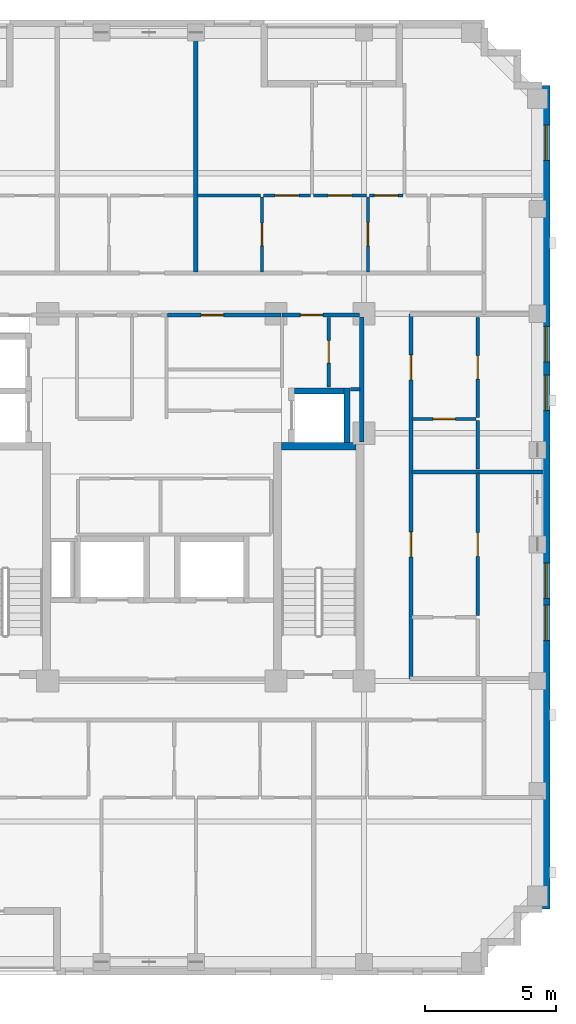
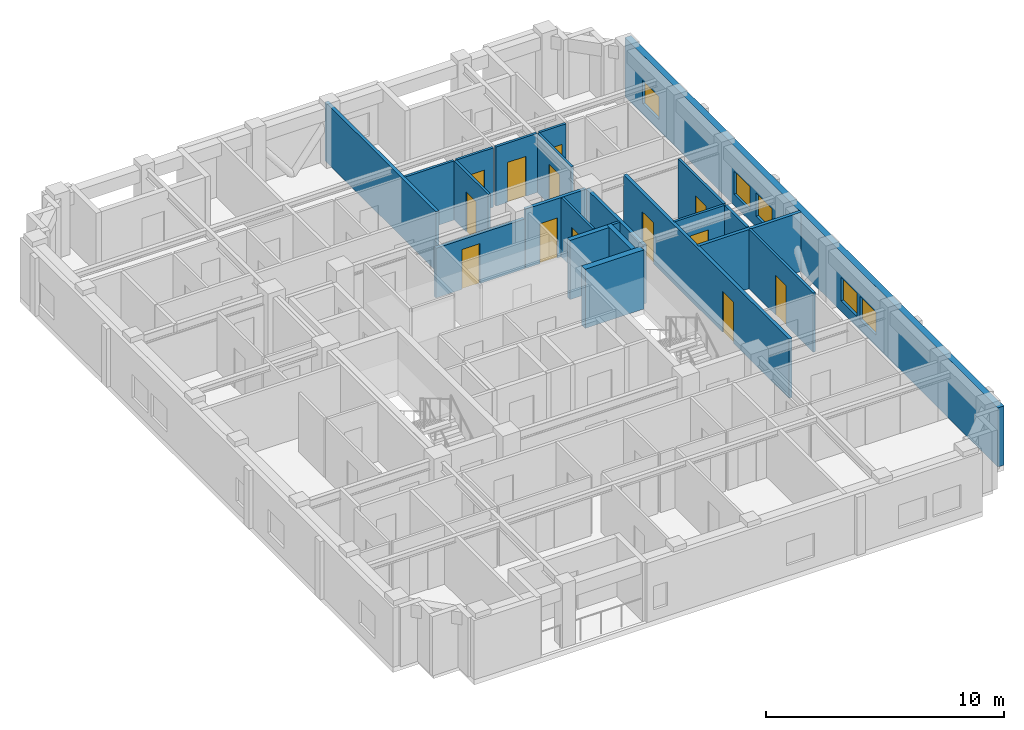
# One storey, part 6 of 11: 22 walls, 13 doors, 5 windows, 18 openings.
"""IFC4 building model written with IfcOpenShell, lengths in metres."""

import ifcopenshell
import ifcopenshell.guid

model = None  # the IFC model being written
_history = None  # IfcOwnerHistory: only IFC2X3 demands one
_inside = {}  # id of a spatial element -> (the spatial element, [elements in it])
_under = {}  # id of a project, library or spatial element -> (it, [spatial elements below it])
_declared = {}  # id of a project -> (the project, [libraries it declares])
_typed = {}  # id of a type object -> (the type object, [elements of that type])
_made_of = {}  # id of a material, layer set ... -> (it, [elements and type objects made of it])


def new_model(schema):
    """Start an empty IFC model of exactly this schema.

    Asked for "IFC4X3", IfcOpenShell would pick the latest addendum, in which some entities
    have other attributes; the version numbers below select the first issue.
    IFC2X3 requires an IfcOwnerHistory on every rooted entity: one is made here for all.
    """
    global model, _history
    if schema == "IFC4X3":
        model = ifcopenshell.file(schema_version=(4, 3, 0, 0))
    else:
        model = ifcopenshell.file(schema=schema)
    _inside.clear()
    _under.clear()
    _declared.clear()
    _typed.clear()
    _made_of.clear()
    _history = None
    if model.schema == "IFC2X3":
        org = make("IfcOrganization", Name="unknown")
        user = make(
            "IfcPersonAndOrganization",
            ThePerson=make("IfcPerson", FamilyName="unknown"),
            TheOrganization=org,
        )
        app = make(
            "IfcApplication",
            ApplicationDeveloper=org,
            Version="unknown",
            ApplicationFullName="unknown",
            ApplicationIdentifier="unknown",
        )
        _history = make(
            "IfcOwnerHistory",
            OwningUser=user,
            OwningApplication=app,
            ChangeAction="ADDED",
            CreationDate=0,
        )
    return model


def make(cls, **values):
    """One entity of the class cls with the attributes given. An attribute that is None is left unset."""
    return model.create_entity(
        cls, **{name: value for name, value in values.items() if value is not None}
    )


def rooted(cls, **values):
    """An entity with a GlobalId (a new one), such as an element, a storey or a relation."""
    return make(cls, GlobalId=ifcopenshell.guid.new(), OwnerHistory=_history, **values)


def si_unit(unit_type, name, prefix=None):
    """IfcSIUnit, for example si_unit("LENGTHUNIT", "METRE", prefix="MILLI")."""
    return make("IfcSIUnit", UnitType=unit_type, Prefix=prefix, Name=name)


def derived_unit(unit_type, elements):
    """IfcDerivedUnit: a product of units, each with its exponent."""
    return make(
        "IfcDerivedUnit",
        Elements=[
            make("IfcDerivedUnitElement", Unit=unit, Exponent=power)
            for unit, power in elements
        ],
        UnitType=unit_type,
    )


def assignment(units):
    """IfcUnitAssignment: the units of a project."""
    return None if units is None else make("IfcUnitAssignment", Units=units)


def point(xyz):
    """IfcCartesianPoint."""
    return None if xyz is None else make("IfcCartesianPoint", Coordinates=xyz)


def direction(xyz):
    """IfcDirection."""
    return None if xyz is None else make("IfcDirection", DirectionRatios=xyz)


def frame(location, z_axis=None, x_axis=None):
    """IfcAxis2Placement3D, a coordinate frame: its origin and axes. An axis left out is left unset."""
    return make(
        "IfcAxis2Placement3D",
        Location=point(location),
        Axis=direction(z_axis),
        RefDirection=direction(x_axis),
    )


def frame_2d(location, x_axis=None):
    """IfcAxis2Placement2D, a coordinate frame in the plane: its origin and x axis."""
    return make(
        "IfcAxis2Placement2D", Location=point(location), RefDirection=direction(x_axis)
    )


def origin():
    """The frame at (0, 0, 0) with its axes left unset."""
    return frame((0.0, 0.0, 0.0))


def place(relative_to, where):
    """IfcLocalPlacement: puts the frame where relative to a parent placement (None: the world)."""
    return make(
        "IfcLocalPlacement", PlacementRelTo=relative_to, RelativePlacement=where
    )


def context(
    kind, dimensions, precision=None, world=None, true_north=None, identifier=None
):
    """IfcGeometricRepresentationContext, for example the 3D "Model" context."""
    return make(
        "IfcGeometricRepresentationContext",
        ContextIdentifier=identifier,
        ContextType=kind,
        CoordinateSpaceDimension=dimensions,
        Precision=precision,
        WorldCoordinateSystem=world,
        TrueNorth=true_north,
    )


def subcontext(parent, identifier, kind, view, scale=None):
    """IfcGeometricRepresentationSubContext, for example "Body" below "Model"."""
    return make(
        "IfcGeometricRepresentationSubContext",
        ContextIdentifier=identifier,
        ContextType=kind,
        ParentContext=parent,
        TargetScale=scale,
        TargetView=view,
    )


def project(units=None, contexts=None):
    """IfcProject with its units and contexts."""
    return rooted(
        "IfcProject",
        Name="project",
        RepresentationContexts=contexts,
        UnitsInContext=assignment(units),
    )


def spatial(cls, under=None, at=None, **own):
    """A site, building, storey or space (cls), placed at a placement, below another one or the project."""
    s = rooted(cls, ObjectPlacement=at, **own)
    if under is not None:
        _under.setdefault(under.id(), (under, []))[1].append(s)
    return s


def profile(cls, at=None, kind="AREA", **sizes):
    """A parametric profile (cls). Its sizes go by their IFC names, for example OverallWidth=200.0."""
    return make(cls, ProfileType=kind, Position=at, **sizes)


def rectangle(**sizes):
    """IfcRectangleProfileDef."""
    return profile("IfcRectangleProfileDef", **sizes)


def extrude(swept, where, along, depth):
    """IfcExtrudedAreaSolid: the profile swept, set in the frame where, extruded along a direction by depth."""
    return make(
        "IfcExtrudedAreaSolid",
        SweptArea=swept,
        Position=where,
        ExtrudedDirection=direction(along),
        Depth=depth,
    )


def shape(context_of_items, identifier, shape_type, items):
    """IfcShapeRepresentation: the items that make up one representation, for example the "Body"."""
    return make(
        "IfcShapeRepresentation",
        ContextOfItems=context_of_items,
        RepresentationIdentifier=identifier,
        RepresentationType=shape_type,
        Items=items,
    )


def material(Name=None, Category=None):
    """IfcMaterial."""
    return make("IfcMaterial", Name=Name, Category=Category)


def layer(
    of_material, thickness, ventilated=None, Name=None, Category=None, Priority=None
):
    """IfcMaterialLayer: one layer of a wall or slab, of a material (None: an air gap)."""
    return make(
        "IfcMaterialLayer",
        Material=of_material,
        LayerThickness=thickness,
        IsVentilated=ventilated,
        Name=Name,
        Category=Category,
        Priority=Priority,
    )


def layer_set(layers, Name=None):
    """IfcMaterialLayerSet."""
    return make("IfcMaterialLayerSet", MaterialLayers=layers, LayerSetName=Name)


def made_of(thing, what):
    """Note that an element or type object is made of a material, layer set ...; save() writes the relation."""
    if what is not None:
        _made_of.setdefault(what.id(), (what, []))[1].append(thing)
    return thing


def type_object(cls, material=None, **own):
    """A type object (cls), such as IfcWallType, which elements share."""
    return made_of(rooted(cls, **own), material)


def element(
    cls,
    number,
    at=None,
    inside=None,
    cuts=None,
    type_object=None,
    material=None,
    context=None,
    identifier="Body",
    shape_type=None,
    held_by="IfcProductDefinitionShape",
    body=None,
    shapes=None,
    **own,
):
    """One element of the class cls, such as IfcWall. Its Tag is "e" and its number.

    at: its placement. inside: the storey or other place that contains it. cuts: it is an
    opening in that element (IfcRelVoidsElement). A single representation is given by context,
    identifier, shape_type and body (its items); several are given by shapes. held_by: the class
    of the entity that holds the representations. save() writes the other relations.
    """
    e = rooted(cls, Tag="e%d" % number, ObjectPlacement=at, **own)
    if body is not None:
        shapes = [shape(context, identifier, shape_type, body)]
    if shapes is not None:
        e.Representation = make(held_by, Representations=shapes)
    if inside is not None:
        _inside.setdefault(inside.id(), (inside, []))[1].append(e)
    if cuts is not None:
        rooted(
            "IfcRelVoidsElement", RelatingBuildingElement=cuts, RelatedOpeningElement=e
        )
    if type_object is not None:
        _typed.setdefault(type_object.id(), (type_object, []))[1].append(e)
    return made_of(e, material)


def fill(opening, filler):
    """IfcRelFillsElement: the door or window that sits in an opening."""
    return rooted(
        "IfcRelFillsElement",
        RelatingOpeningElement=opening,
        RelatedBuildingElement=filler,
    )


def aggregate(whole, parts):
    """IfcRelAggregates: a whole, such as a stair, and the parts it consists of."""
    return rooted("IfcRelAggregates", RelatingObject=whole, RelatedObjects=parts)


def save(model, path):
    """Write the relations noted so far, then the file.

    IfcRelAggregates (storeys below a building ...), IfcRelContainedInSpatialStructure (elements
    in a storey), IfcRelDefinesByType, IfcRelAssociatesMaterial and IfcRelDeclares: one each for
    every whole, place, type object, material and project.
    """
    for whole, parts in _under.values():
        aggregate(whole, parts)
    for where, things in _inside.values():
        rooted(
            "IfcRelContainedInSpatialStructure",
            RelatedElements=things,
            RelatingStructure=where,
        )
    for kind, things in _typed.values():
        rooted("IfcRelDefinesByType", RelatedObjects=things, RelatingType=kind)
    for what, things in _made_of.values():
        rooted("IfcRelAssociatesMaterial", RelatedObjects=things, RelatingMaterial=what)
    for by, libraries in _declared.values():
        rooted("IfcRelDeclares", RelatingContext=by, RelatedDefinitions=libraries)
    model.write(path)


model = new_model("IFC4")

# Units and contexts
model_context = context("Model", 3, precision=1e-05, world=origin(), true_north=direction((0.0, 1.0)))
body_context = subcontext(model_context, "Body", "Model", "MODEL_VIEW")
ifc_project = project(units=[si_unit("LENGTHUNIT", "METRE"), si_unit("AREAUNIT", "SQUARE_METRE"), si_unit("VOLUMEUNIT", "CUBIC_METRE"), si_unit("PLANEANGLEUNIT", "RADIAN"), si_unit("MASSUNIT", "GRAM", prefix="KILO"), derived_unit("THERMALTRANSMITTANCEUNIT", [(si_unit("MASSUNIT", "GRAM", prefix="KILO"), 1), (si_unit("TIMEUNIT", "SECOND"), -3), (si_unit("THERMODYNAMICTEMPERATUREUNIT", "KELVIN"), -1)])], contexts=[model_context])

# Site, building, storey
site_placement = place(None, origin())
site = spatial("IfcSite", under=ifc_project, at=site_placement, CompositionType="ELEMENT")
building_placement = place(site_placement, origin())
building = spatial("IfcBuilding", under=site, at=building_placement, Name="Korrvale Station Residences", CompositionType="ELEMENT")
storey_placement = place(building_placement, frame((0.0, 0.0, 190.89990234375)))
storey = spatial("IfcBuildingStorey", under=building, at=storey_placement, Name="L55", CompositionType="ELEMENT", Elevation=190.89990234375)

# Wall
ifc_material_1 = material(Name="Concrete C50/60", Category="concrete")
ifc_layer_1 = layer(ifc_material_1, 0.300048828125, Name="Concrete C50/60")
ifc_layer_set_1 = layer_set([ifc_layer_1], Name="Concrete C50/60")
wall_type_1 = type_object("IfcWallType", Name="WAL-CORE-300-C50", PredefinedType="SHEAR", material=ifc_layer_set_1)
wall_1_placement = place(storey_placement, frame((30.050048828125, 23.949951171875, 0.0), z_axis=(0.0, 0.0, 1.0), x_axis=(1.0, 0.0, 0.0)))
element("IfcWall", 1, at=wall_1_placement, inside=storey, type_object=wall_type_1, Name="L55 ST-2 Core Shear Wall North", PredefinedType="SHEAR", context=body_context, shape_type="SweptSolid", body=[
    extrude(rectangle(XDim=2.849853515625, YDim=0.300048828125, at=frame_2d((1.4248046875, 0.0))), origin(), (0.0, 0.0, 1.0), 3.0400390625),
])

# Wall, openings, windows
ifc_material_2 = material(Name="Precast concrete C45/55", Category="concrete")
ifc_layer_2 = layer(ifc_material_2, 0.300048828125, Name="Precast concrete C45/55")
ifc_layer_set_2 = layer_set([ifc_layer_2], Name="Precast concrete C45/55")
wall_type_2 = type_object("IfcWallType", Name="WAL-EXT-PC300", PredefinedType="SOLIDWALL", material=ifc_layer_set_2)
wall_2_placement = place(storey_placement, frame((40.14990234375, 37.699951171875, 0.0), z_axis=(0.0, 0.0, 1.0), x_axis=(0.0, -1.0, 0.0)))
wall_2 = element("IfcWall", 2, at=wall_2_placement, inside=storey, type_object=wall_type_2, Name="L55 East Exterior Precast Wall 1", PredefinedType="SOLIDWALL", context=body_context, shape_type="SweptSolid", body=[
    extrude(rectangle(XDim=31.39990234375, YDim=0.300048828125, at=frame_2d((15.699951171875, 0.0))), origin(), (0.0, 0.0, 1.0), 3.0400390625),
])
opening_1_placement = place(wall_2_placement, frame((1.50390625, 0.0, 0.550048828125)))
opening_1 = element("IfcOpeningElement", 3, at=opening_1_placement, cuts=wall_2, Name="Opening W-10", PredefinedType="OPENING", context=body_context, shape_type="SweptSolid", body=[
    extrude(rectangle(XDim=1.35009765625, YDim=1.199951171875, at=frame_2d((0.675048828125, 0.60009765625))), frame((0.0, 0.16015625, 0.0), z_axis=(0.0, -1.0, 0.0), x_axis=(1.0, 0.0, 0.0)), (0.0, 0.0, 1.0), 0.320068359375),
])
opening_2_placement = place(wall_2_placement, frame((18.199951171875, 0.0, 0.550048828125)))
opening_2 = element("IfcOpeningElement", 4, at=opening_2_placement, cuts=wall_2, Name="Opening W-10", PredefinedType="OPENING", context=body_context, shape_type="SweptSolid", body=[
    extrude(rectangle(XDim=1.35009765625, YDim=1.199951171875, at=frame_2d((0.675048828125, 0.60009765625))), frame((0.0, 0.16015625, 0.0), z_axis=(0.0, -1.0, 0.0), x_axis=(1.0, 0.0, 0.0)), (0.0, 0.0, 1.0), 0.320068359375),
])
opening_3_placement = place(wall_2_placement, frame((19.81005859375, 0.0, 0.550048828125)))
opening_3 = element("IfcOpeningElement", 5, at=opening_3_placement, cuts=wall_2, Name="Opening W-10", PredefinedType="OPENING", context=body_context, shape_type="SweptSolid", body=[
    extrude(rectangle(XDim=1.35009765625, YDim=1.199951171875, at=frame_2d((0.675048828125, 0.60009765625))), frame((0.0, 0.16015625, 0.0), z_axis=(0.0, -1.0, 0.0), x_axis=(1.0, 0.0, 0.0)), (0.0, 0.0, 1.0), 0.320068359375),
])
opening_4_placement = place(wall_2_placement, frame((11.04296875, 0.0, 0.550048828125)))
opening_4 = element("IfcOpeningElement", 6, at=opening_4_placement, cuts=wall_2, Name="Opening W-10", PredefinedType="OPENING", context=body_context, shape_type="SweptSolid", body=[
    extrude(rectangle(XDim=1.35009765625, YDim=1.199951171875, at=frame_2d((0.675048828125, 0.60009765625))), frame((0.0, 0.16015625, 0.0), z_axis=(0.0, -1.0, 0.0), x_axis=(1.0, 0.0, 0.0)), (0.0, 0.0, 1.0), 0.320068359375),
])
opening_5_placement = place(wall_2_placement, frame((9.18505859375, 0.0, 0.550048828125)))
opening_5 = element("IfcOpeningElement", 7, at=opening_5_placement, cuts=wall_2, Name="Opening W-10", PredefinedType="OPENING", context=body_context, shape_type="SweptSolid", body=[
    extrude(rectangle(XDim=1.35009765625, YDim=1.199951171875, at=frame_2d((0.675048828125, 0.60009765625))), frame((0.0, 0.16015625, 0.0), z_axis=(0.0, -1.0, 0.0), x_axis=(1.0, 0.0, 0.0)), (0.0, 0.0, 1.0), 0.320068359375),
])
ifc_material_3 = material(Name="Thermally broken aluminium frame with triple low-e glazing", Category="aluminium")
window_type = type_object("IfcWindowType", Name="WIN-W10", PartitioningType="SINGLE_PANEL", PredefinedType="WINDOW", material=ifc_material_3)
window_1_placement = place(opening_1_placement, origin())
window_1 = element("IfcWindow", 8, at=window_1_placement, inside=storey, type_object=window_type, Name="L55 Punched Window 10", OverallHeight=1.199951171875, OverallWidth=1.35009765625, PartitioningType="SINGLE_PANEL", PredefinedType="WINDOW", context=body_context, shape_type="SweptSolid", body=[
    extrude(rectangle(XDim=1.35009765625, YDim=1.199951171875, at=frame_2d((0.675048828125, 0.60009765625))), frame((0.0, 0.030029296875, 0.0), z_axis=(0.0, -1.0, 0.0), x_axis=(1.0, 0.0, 0.0)), (0.0, 0.0, 1.0), 0.06005859375),
])
fill(opening_1, window_1)
window_2_placement = place(opening_2_placement, origin())
window_2 = element("IfcWindow", 9, at=window_2_placement, inside=storey, type_object=window_type, Name="L55 Punched Window 15", OverallHeight=1.199951171875, OverallWidth=1.35009765625, PartitioningType="SINGLE_PANEL", PredefinedType="WINDOW", context=body_context, shape_type="SweptSolid", body=[
    extrude(rectangle(XDim=1.35009765625, YDim=1.199951171875, at=frame_2d((0.675048828125, 0.60009765625))), frame((0.0, 0.030029296875, 0.0), z_axis=(0.0, -1.0, 0.0), x_axis=(1.0, 0.0, 0.0)), (0.0, 0.0, 1.0), 0.06005859375),
])
fill(opening_2, window_2)
window_3_placement = place(opening_3_placement, origin())
window_3 = element("IfcWindow", 10, at=window_3_placement, inside=storey, type_object=window_type, Name="L55 Punched Window 16", OverallHeight=1.199951171875, OverallWidth=1.35009765625, PartitioningType="SINGLE_PANEL", PredefinedType="WINDOW", context=body_context, shape_type="SweptSolid", body=[
    extrude(rectangle(XDim=1.35009765625, YDim=1.199951171875, at=frame_2d((0.675048828125, 0.60009765625))), frame((0.0, 0.030029296875, 0.0), z_axis=(0.0, -1.0, 0.0), x_axis=(1.0, 0.0, 0.0)), (0.0, 0.0, 1.0), 0.06005859375),
])
fill(opening_3, window_3)
window_4_placement = place(opening_4_placement, origin())
window_4 = element("IfcWindow", 11, at=window_4_placement, inside=storey, type_object=window_type, Name="L55 Punched Window 17", OverallHeight=1.199951171875, OverallWidth=1.35009765625, PartitioningType="SINGLE_PANEL", PredefinedType="WINDOW", context=body_context, shape_type="SweptSolid", body=[
    extrude(rectangle(XDim=1.35009765625, YDim=1.199951171875, at=frame_2d((0.675048828125, 0.60009765625))), frame((0.0, 0.030029296875, 0.0), z_axis=(0.0, -1.0, 0.0), x_axis=(1.0, 0.0, 0.0)), (0.0, 0.0, 1.0), 0.06005859375),
])
fill(opening_4, window_4)
window_5_placement = place(opening_5_placement, origin())
window_5 = element("IfcWindow", 12, at=window_5_placement, inside=storey, type_object=window_type, Name="L55 Punched Window 18", OverallHeight=1.199951171875, OverallWidth=1.35009765625, PartitioningType="SINGLE_PANEL", PredefinedType="WINDOW", context=body_context, shape_type="SweptSolid", body=[
    extrude(rectangle(XDim=1.35009765625, YDim=1.199951171875, at=frame_2d((0.675048828125, 0.60009765625))), frame((0.0, 0.030029296875, 0.0), z_axis=(0.0, -1.0, 0.0), x_axis=(1.0, 0.0, 0.0)), (0.0, 0.0, 1.0), 0.06005859375),
])
fill(opening_5, window_5)

# Wall
ifc_material_4 = material(Name="Acoustic steel-stud gypsum board partition", Category="steel")
ifc_layer_3 = layer(ifc_material_4, 0.1201171875, Name="Acoustic steel-stud gypsum board partition")
ifc_layer_set_3 = layer_set([ifc_layer_3], Name="Acoustic steel-stud gypsum board partition")
wall_type_3 = type_object("IfcWallType", Name="WAL-PART-125", PredefinedType="PARTITIONING", material=ifc_layer_set_3)
wall_3_placement = place(storey_placement, frame((32.679931640625, 26.1201171875, 0.0), z_axis=(0.0, 0.0, 1.0), x_axis=(1.0, 0.0, 0.0)))
element("IfcWall", 13, at=wall_3_placement, inside=storey, type_object=wall_type_3, Name="L55 Core Partition CW-CS-S", PredefinedType="PARTITIONING", context=body_context, shape_type="SweptSolid", body=[
    extrude(rectangle(XDim=0.380126953125, YDim=0.1201171875, at=frame_2d((0.18994140625, 0.0))), origin(), (0.0, 0.0, 1.0), 3.0400390625),
])

# Wall, opening, door
wall_4_placement = place(storey_placement, frame((31.860107421875, 26.199951171875, 0.0), z_axis=(0.0, 0.0, 1.0), x_axis=(0.0, 1.0, 0.0)))
wall_4 = element("IfcWall", 14, at=wall_4_placement, inside=storey, type_object=wall_type_3, Name="L55 Core Partition CW-CS-MID", PredefinedType="PARTITIONING", context=body_context, shape_type="SweptSolid", body=[
    extrude(rectangle(XDim=2.66015625, YDim=0.1201171875, at=frame_2d((1.330078125, 0.0))), origin(), (0.0, 0.0, 1.0), 3.0400390625),
])
opening_6_placement = place(wall_4_placement, frame((0.919921875, 0.0, 0.0)))
opening_6 = element("IfcOpeningElement", 15, at=opening_6_placement, cuts=wall_4, Name="Opening DB-860", PredefinedType="OPENING", context=body_context, shape_type="SweptSolid", body=[
    extrude(rectangle(XDim=0.860107421875, YDim=2.050048828125, at=frame_2d((0.43017578125, 1.02490234375))), frame((0.0, 0.070068359375, 0.0), z_axis=(0.0, -1.0, 0.0), x_axis=(1.0, 0.0, 0.0)), (0.0, 0.0, 1.0), 0.14013671875),
])
ifc_material_5 = material(Name="Moisture-resistant solid-core bathroom door", Category="timber")
door_type_1 = type_object("IfcDoorType", Name="DR-BATH-860", OperationType="NOTDEFINED", PredefinedType="DOOR", material=ifc_material_5)
door_1_placement = place(opening_6_placement, origin())
door_1 = element("IfcDoor", 16, at=door_1_placement, inside=storey, type_object=door_type_1, Name="L55 Metering Inner Door", OperationType="SINGLE_SWING_RIGHT", OverallHeight=2.050048828125, OverallWidth=0.860107421875, PredefinedType="DOOR", context=body_context, shape_type="SweptSolid", body=[
    extrude(rectangle(XDim=0.860107421875, YDim=2.050048828125, at=frame_2d((0.43017578125, 1.02490234375))), frame((0.0, 0.02490234375, 0.0), z_axis=(0.0, -1.0, 0.0), x_axis=(1.0, 0.0, 0.0)), (0.0, 0.0, 1.0), 0.050048828125),
])
fill(opening_6, door_1)

wall_5_placement = place(storey_placement, frame((29.31201171875, 30.60009765625, 0.0), z_axis=(0.0, 0.0, 1.0), x_axis=(0.0, 1.0, 0.0)))
wall_5 = element("IfcWall", 17, at=wall_5_placement, inside=storey, type_object=wall_type_3, Name="L55 Suite Partition U06-V01", PredefinedType="PARTITIONING", context=body_context, shape_type="SweptSolid", body=[
    extrude(rectangle(XDim=2.849853515625, YDim=0.1201171875, at=frame_2d((1.4248046875, 0.0))), origin(), (0.0, 0.0, 1.0), 3.0400390625),
])
opening_7_placement = place(wall_5_placement, frame((0.9951171875, 0.0, 0.0)))
opening_7 = element("IfcOpeningElement", 18, at=opening_7_placement, cuts=wall_5, Name="Opening DB-860", PredefinedType="OPENING", context=body_context, shape_type="SweptSolid", body=[
    extrude(rectangle(XDim=0.860107421875, YDim=2.050048828125, at=frame_2d((0.43017578125, 1.02490234375))), frame((0.0, 0.070068359375, 0.0), z_axis=(0.0, -1.0, 0.0), x_axis=(1.0, 0.0, 0.0)), (0.0, 0.0, 1.0), 0.14013671875),
])
door_2_placement = place(opening_7_placement, origin())
door_2 = element("IfcDoor", 19, at=door_2_placement, inside=storey, type_object=door_type_1, Name="L55 Apartment 1BR L55-U06 Bathroom Door", OperationType="SINGLE_SWING_LEFT", OverallHeight=2.050048828125, OverallWidth=0.860107421875, PredefinedType="DOOR", context=body_context, shape_type="SweptSolid", body=[
    extrude(rectangle(XDim=0.860107421875, YDim=2.050048828125, at=frame_2d((0.43017578125, 1.02490234375))), frame((0.0, 0.02490234375, 0.0), z_axis=(0.0, -1.0, 0.0), x_axis=(1.0, 0.0, 0.0)), (0.0, 0.0, 1.0), 0.050048828125),
])
fill(opening_7, door_2)

# Wall
wall_6_placement = place(storey_placement, frame((26.85205078125, 33.510009765625, 0.0), z_axis=(0.0, 0.0, 1.0), x_axis=(1.0, 0.0, 0.0)))
element("IfcWall", 20, at=wall_6_placement, inside=storey, type_object=wall_type_3, Name="L55 Suite Partition U06-H04", PredefinedType="PARTITIONING", context=body_context, shape_type="SweptSolid", body=[
    extrude(rectangle(XDim=2.39990234375, YDim=0.1201171875, at=frame_2d((1.199951171875, 0.0))), origin(), (0.0, 0.0, 1.0), 3.0400390625),
])

# Wall, opening, door
wall_7_placement = place(storey_placement, frame((33.35205078125, 30.60009765625, 0.0), z_axis=(0.0, 0.0, 1.0), x_axis=(0.0, 1.0, 0.0)))
wall_7 = element("IfcWall", 21, at=wall_7_placement, inside=storey, type_object=wall_type_3, Name="L55 Suite Partition U06-V12", PredefinedType="PARTITIONING", context=body_context, shape_type="SweptSolid", body=[
    extrude(rectangle(XDim=2.849853515625, YDim=0.1201171875, at=frame_2d((1.4248046875, 0.0))), origin(), (0.0, 0.0, 1.0), 3.0400390625),
])
opening_8_placement = place(wall_7_placement, frame((0.97509765625, 0.0, 0.0)))
opening_8 = element("IfcOpeningElement", 22, at=opening_8_placement, cuts=wall_7, Name="Opening DI-900", PredefinedType="OPENING", context=body_context, shape_type="SweptSolid", body=[
    extrude(rectangle(XDim=0.89990234375, YDim=2.050048828125, at=frame_2d((0.449951171875, 1.02490234375))), frame((0.0, 0.070068359375, 0.0), z_axis=(0.0, -1.0, 0.0), x_axis=(1.0, 0.0, 0.0)), (0.0, 0.0, 1.0), 0.14013671875),
])
ifc_material_6 = material(Name="Painted solid-core timber interior room door", Category="wood")
door_type_2 = type_object("IfcDoorType", Name="DR-INT-900", OperationType="NOTDEFINED", PredefinedType="DOOR", material=ifc_material_6)
door_3_placement = place(opening_8_placement, origin())
door_3 = element("IfcDoor", 23, at=door_3_placement, inside=storey, type_object=door_type_2, Name="L55 Apartment 1BR L55-U06 Kitchen Door", OperationType="SINGLE_SWING_RIGHT", OverallHeight=2.050048828125, OverallWidth=0.89990234375, PredefinedType="DOOR", context=body_context, shape_type="SweptSolid", body=[
    extrude(rectangle(XDim=0.89990234375, YDim=2.050048828125, at=frame_2d((0.449951171875, 1.02490234375))), frame((0.0, 0.02490234375, 0.0), z_axis=(0.0, -1.0, 0.0), x_axis=(1.0, 0.0, 0.0)), (0.0, 0.0, 1.0), 0.050048828125),
])
fill(opening_8, door_3)

wall_8_placement = place(storey_placement, frame((29.3720703125, 33.510009765625, 0.0), z_axis=(0.0, 0.0, 1.0), x_axis=(1.0, 0.0, 0.0)))
wall_8 = element("IfcWall", 24, at=wall_8_placement, inside=storey, type_object=wall_type_3, Name="L55 Suite Partition U06-H14", PredefinedType="PARTITIONING", context=body_context, shape_type="SweptSolid", body=[
    extrude(rectangle(XDim=1.791015625, YDim=0.1201171875, at=frame_2d((0.8955078125, 0.0))), origin(), (0.0, 0.0, 1.0), 3.0400390625),
])
opening_9_placement = place(wall_8_placement, frame((0.445068359375, 0.0, 0.0)))
opening_9 = element("IfcOpeningElement", 25, at=opening_9_placement, cuts=wall_8, Name="Opening DI-900", PredefinedType="OPENING", context=body_context, shape_type="SweptSolid", body=[
    extrude(rectangle(XDim=0.89990234375, YDim=2.050048828125, at=frame_2d((0.449951171875, 1.02490234375))), frame((0.0, 0.070068359375, 0.0), z_axis=(0.0, -1.0, 0.0), x_axis=(1.0, 0.0, 0.0)), (0.0, 0.0, 1.0), 0.14013671875),
])
door_4_placement = place(opening_9_placement, origin())
door_4 = element("IfcDoor", 26, at=door_4_placement, inside=storey, type_object=door_type_2, Name="L55 Apartment 1BR L55-U06 Kitchen Door", OperationType="SINGLE_SWING_LEFT", OverallHeight=2.050048828125, OverallWidth=0.89990234375, PredefinedType="DOOR", context=body_context, shape_type="SweptSolid", body=[
    extrude(rectangle(XDim=0.89990234375, YDim=2.050048828125, at=frame_2d((0.449951171875, 1.02490234375))), frame((0.0, 0.02490234375, 0.0), z_axis=(0.0, -1.0, 0.0), x_axis=(1.0, 0.0, 0.0)), (0.0, 0.0, 1.0), 0.050048828125),
])
fill(opening_9, door_4)

wall_9_placement = place(storey_placement, frame((31.282958984375, 33.510009765625, 0.0), z_axis=(0.0, 0.0, 1.0), x_axis=(1.0, 0.0, 0.0)))
wall_9 = element("IfcWall", 27, at=wall_9_placement, inside=storey, type_object=wall_type_3, Name="L55 Suite Partition U06-H15", PredefinedType="PARTITIONING", context=body_context, shape_type="SweptSolid", body=[
    extrude(rectangle(XDim=2.009033203125, YDim=0.1201171875, at=frame_2d((1.00439453125, 0.0))), origin(), (0.0, 0.0, 1.0), 3.0400390625),
])
opening_10_placement = place(wall_9_placement, frame((0.553955078125, 0.0, 0.0)))
opening_10 = element("IfcOpeningElement", 28, at=opening_10_placement, cuts=wall_9, Name="Opening DI-900", PredefinedType="OPENING", context=body_context, shape_type="SweptSolid", body=[
    extrude(rectangle(XDim=0.89990234375, YDim=2.050048828125, at=frame_2d((0.449951171875, 1.02490234375))), frame((0.0, 0.070068359375, 0.0), z_axis=(0.0, -1.0, 0.0), x_axis=(1.0, 0.0, 0.0)), (0.0, 0.0, 1.0), 0.14013671875),
])
door_5_placement = place(opening_10_placement, origin())
door_5 = element("IfcDoor", 29, at=door_5_placement, inside=storey, type_object=door_type_2, Name="L55 Apartment 1BR L55-U06 Kitchen Door", OperationType="SINGLE_SWING_RIGHT", OverallHeight=2.050048828125, OverallWidth=0.89990234375, PredefinedType="DOOR", context=body_context, shape_type="SweptSolid", body=[
    extrude(rectangle(XDim=0.89990234375, YDim=2.050048828125, at=frame_2d((0.449951171875, 1.02490234375))), frame((0.0, 0.02490234375, 0.0), z_axis=(0.0, -1.0, 0.0), x_axis=(1.0, 0.0, 0.0)), (0.0, 0.0, 1.0), 0.050048828125),
])
fill(opening_10, door_5)

wall_10_placement = place(storey_placement, frame((33.412109375, 33.510009765625, 0.0), z_axis=(0.0, 0.0, 1.0), x_axis=(1.0, 0.0, 0.0)))
wall_10 = element("IfcWall", 30, at=wall_10_placement, inside=storey, type_object=wall_type_3, Name="L55 Suite Partition U06-H25", PredefinedType="PARTITIONING", context=body_context, shape_type="SweptSolid", body=[
    extrude(rectangle(XDim=1.27783203125, YDim=0.1201171875, at=frame_2d((0.638916015625, 0.0))), origin(), (0.0, 0.0, 1.0), 3.0400390625),
])
opening_11_placement = place(wall_10_placement, frame((0.18896484375, 0.0, 0.0)))
opening_11 = element("IfcOpeningElement", 31, at=opening_11_placement, cuts=wall_10, Name="Opening DI-900", PredefinedType="OPENING", context=body_context, shape_type="SweptSolid", body=[
    extrude(rectangle(XDim=0.89990234375, YDim=2.050048828125, at=frame_2d((0.449951171875, 1.02490234375))), frame((0.0, 0.070068359375, 0.0), z_axis=(0.0, -1.0, 0.0), x_axis=(1.0, 0.0, 0.0)), (0.0, 0.0, 1.0), 0.14013671875),
])
door_6_placement = place(opening_11_placement, origin())
door_6 = element("IfcDoor", 32, at=door_6_placement, inside=storey, type_object=door_type_2, Name="L55 Apartment 1BR L55-U06 Wardrobe Storage Room Door", OperationType="SINGLE_SWING_RIGHT", OverallHeight=2.050048828125, OverallWidth=0.89990234375, PredefinedType="DOOR", context=body_context, shape_type="SweptSolid", body=[
    extrude(rectangle(XDim=0.89990234375, YDim=2.050048828125, at=frame_2d((0.449951171875, 1.02490234375))), frame((0.0, 0.02490234375, 0.0), z_axis=(0.0, -1.0, 0.0), x_axis=(1.0, 0.0, 0.0)), (0.0, 0.0, 1.0), 0.050048828125),
])
fill(opening_11, door_6)

wall_11_placement = place(storey_placement, frame((37.5400390625, 17.489013671875, 0.0), z_axis=(0.0, 0.0, 1.0), x_axis=(0.0, 1.0, 0.0)))
wall_11 = element("IfcWall", 33, at=wall_11_placement, inside=storey, type_object=wall_type_3, Name="L55 Suite Partition U09-V12", PredefinedType="PARTITIONING", context=body_context, shape_type="SweptSolid", body=[
    extrude(rectangle(XDim=5.43310546875, YDim=0.1201171875, at=frame_2d((2.716552734375, 0.0))), origin(), (0.0, 0.0, 1.0), 3.0400390625),
])
opening_12_placement = place(wall_11_placement, frame((2.26611328125, 0.0, 0.0)))
opening_12 = element("IfcOpeningElement", 34, at=opening_12_placement, cuts=wall_11, Name="Opening DI-900", PredefinedType="OPENING", context=body_context, shape_type="SweptSolid", body=[
    extrude(rectangle(XDim=0.89990234375, YDim=2.050048828125, at=frame_2d((0.449951171875, 1.02490234375))), frame((0.0, 0.070068359375, 0.0), z_axis=(0.0, -1.0, 0.0), x_axis=(1.0, 0.0, 0.0)), (0.0, 0.0, 1.0), 0.14013671875),
])
door_7_placement = place(opening_12_placement, origin())
door_7 = element("IfcDoor", 35, at=door_7_placement, inside=storey, type_object=door_type_2, Name="L55 Apartment 1BR L55-U09 Kitchen Door", OperationType="SINGLE_SWING_LEFT", OverallHeight=2.050048828125, OverallWidth=0.89990234375, PredefinedType="DOOR", context=body_context, shape_type="SweptSolid", body=[
    extrude(rectangle(XDim=0.89990234375, YDim=2.050048828125, at=frame_2d((0.449951171875, 1.02490234375))), frame((0.0, 0.02490234375, 0.0), z_axis=(0.0, -1.0, 0.0), x_axis=(1.0, 0.0, 0.0)), (0.0, 0.0, 1.0), 0.050048828125),
])
fill(opening_12, door_7)

wall_12_placement = place(storey_placement, frame((35.030029296875, 24.991943359375, 0.0), z_axis=(0.0, 0.0, 1.0), x_axis=(1.0, 0.0, 0.0)))
wall_12 = element("IfcWall", 36, at=wall_12_placement, inside=storey, type_object=wall_type_3, Name="L55 Suite Partition U10-H01", PredefinedType="PARTITIONING", context=body_context, shape_type="SweptSolid", body=[
    extrude(rectangle(XDim=2.449951171875, YDim=0.1201171875, at=frame_2d((1.22509765625, 0.0))), origin(), (0.0, 0.0, 1.0), 3.0400390625),
])
opening_13_placement = place(wall_12_placement, frame((0.794921875, 0.0, 0.0)))
opening_13 = element("IfcOpeningElement", 37, at=opening_13_placement, cuts=wall_12, Name="Opening DB-860", PredefinedType="OPENING", context=body_context, shape_type="SweptSolid", body=[
    extrude(rectangle(XDim=0.860107421875, YDim=2.050048828125, at=frame_2d((0.43017578125, 1.02490234375))), frame((0.0, 0.070068359375, 0.0), z_axis=(0.0, -1.0, 0.0), x_axis=(1.0, 0.0, 0.0)), (0.0, 0.0, 1.0), 0.14013671875),
])
door_8_placement = place(opening_13_placement, origin())
door_8 = element("IfcDoor", 38, at=door_8_placement, inside=storey, type_object=door_type_1, Name="L55 Apartment 1BR L55-U10 Bathroom Door", OperationType="SINGLE_SWING_RIGHT", OverallHeight=2.050048828125, OverallWidth=0.860107421875, PredefinedType="DOOR", context=body_context, shape_type="SweptSolid", body=[
    extrude(rectangle(XDim=0.860107421875, YDim=2.050048828125, at=frame_2d((0.43017578125, 1.02490234375))), frame((0.0, 0.02490234375, 0.0), z_axis=(0.0, -1.0, 0.0), x_axis=(1.0, 0.0, 0.0)), (0.0, 0.0, 1.0), 0.050048828125),
])
fill(opening_13, door_8)

# Wall
wall_13_placement = place(storey_placement, frame((37.5400390625, 23.08203125, 0.0), z_axis=(0.0, 0.0, 1.0), x_axis=(0.0, 1.0, 0.0)))
element("IfcWall", 39, at=wall_13_placement, inside=storey, type_object=wall_type_3, Name="L55 Suite Partition U10-V02", PredefinedType="PARTITIONING", context=body_context, shape_type="SweptSolid", body=[
    extrude(rectangle(XDim=1.849853515625, YDim=0.1201171875, at=frame_2d((0.9248046875, 0.0))), origin(), (0.0, 0.0, 1.0), 3.0400390625),
])

# Wall, opening, door
wall_14_placement = place(storey_placement, frame((37.5400390625, 25.052001953125, 0.0), z_axis=(0.0, 0.0, 1.0), x_axis=(0.0, 1.0, 0.0)))
wall_14 = element("IfcWall", 40, at=wall_14_placement, inside=storey, type_object=wall_type_3, Name="L55 Suite Partition U10-V12", PredefinedType="PARTITIONING", context=body_context, shape_type="SweptSolid", body=[
    extrude(rectangle(XDim=3.80810546875, YDim=0.1201171875, at=frame_2d((1.904052734375, 0.0))), origin(), (0.0, 0.0, 1.0), 3.0400390625),
])
opening_14_placement = place(wall_14_placement, frame((1.4541015625, 0.0, 0.0)))
opening_14 = element("IfcOpeningElement", 41, at=opening_14_placement, cuts=wall_14, Name="Opening DI-900", PredefinedType="OPENING", context=body_context, shape_type="SweptSolid", body=[
    extrude(rectangle(XDim=0.89990234375, YDim=2.050048828125, at=frame_2d((0.449951171875, 1.02490234375))), frame((0.0, 0.070068359375, 0.0), z_axis=(0.0, -1.0, 0.0), x_axis=(1.0, 0.0, 0.0)), (0.0, 0.0, 1.0), 0.14013671875),
])
door_9_placement = place(opening_14_placement, origin())
door_9 = element("IfcDoor", 42, at=door_9_placement, inside=storey, type_object=door_type_2, Name="L55 Apartment 1BR L55-U10 Kitchen Door", OperationType="SINGLE_SWING_LEFT", OverallHeight=2.050048828125, OverallWidth=0.89990234375, PredefinedType="DOOR", context=body_context, shape_type="SweptSolid", body=[
    extrude(rectangle(XDim=0.89990234375, YDim=2.050048828125, at=frame_2d((0.449951171875, 1.02490234375))), frame((0.0, 0.02490234375, 0.0), z_axis=(0.0, -1.0, 0.0), x_axis=(1.0, 0.0, 0.0)), (0.0, 0.0, 1.0), 0.050048828125),
])
fill(opening_14, door_9)

# Wall
ifc_material_7 = material(Name="Fire-rated twin-stud gypsum and mineral wool shaftwall assembly", Category="gypsum")
ifc_layer_4 = layer(ifc_material_7, 0.159912109375, Name="Fire-rated twin-stud gypsum and mineral wool shaftwall assembly")
ifc_layer_set_4 = layer_set([ifc_layer_4], Name="Fire-rated twin-stud gypsum and mineral wool shaftwall assembly")
wall_type_4 = type_object("IfcWallType", Name="WAL-PART-200", PredefinedType="PARTITIONING", material=ifc_layer_set_4)
wall_15_placement = place(storey_placement, frame((33.1201171875, 24.1201171875, 0.0), z_axis=(0.0, 0.0, 1.0), x_axis=(0.0, 1.0, 0.0)))
element("IfcWall", 43, at=wall_15_placement, inside=storey, type_object=wall_type_4, Name="L55 Core Partition CW-E-N", PredefinedType="PARTITIONING", context=body_context, shape_type="SweptSolid", body=[
    extrude(rectangle(XDim=4.759765625, YDim=0.159912109375, at=frame_2d((2.3798828125, 0.0))), origin(), (0.0, 0.0, 1.0), 3.0400390625),
])

# Wall, opening, door
wall_16_placement = place(storey_placement, frame((30.080078125, 28.949951171875, 0.0), z_axis=(0.0, 0.0, 1.0), x_axis=(1.0, 0.0, 0.0)))
wall_16 = element("IfcWall", 44, at=wall_16_placement, inside=storey, type_object=wall_type_4, Name="L55 Core Partition CW-CS-N", PredefinedType="PARTITIONING", context=body_context, shape_type="SweptSolid", body=[
    extrude(rectangle(XDim=2.9599609375, YDim=0.159912109375, at=frame_2d((1.47998046875, 0.0))), origin(), (0.0, 0.0, 1.0), 3.0400390625),
])
opening_15_placement = place(wall_16_placement, frame((0.695068359375, 0.0, 0.0)))
opening_15 = element("IfcOpeningElement", 45, at=opening_15_placement, cuts=wall_16, Name="Opening DB-860", PredefinedType="OPENING", context=body_context, shape_type="SweptSolid", body=[
    extrude(rectangle(XDim=0.860107421875, YDim=2.050048828125, at=frame_2d((0.43017578125, 1.02490234375))), frame((0.0, 0.08984375, 0.0), z_axis=(0.0, -1.0, 0.0), x_axis=(1.0, 0.0, 0.0)), (0.0, 0.0, 1.0), 0.179931640625),
])
door_10_placement = place(opening_15_placement, origin())
door_10 = element("IfcDoor", 46, at=door_10_placement, inside=storey, type_object=door_type_1, Name="L55 Housekeeping Supply Door", OperationType="SINGLE_SWING_LEFT", OverallHeight=2.050048828125, OverallWidth=0.860107421875, PredefinedType="DOOR", context=body_context, shape_type="SweptSolid", body=[
    extrude(rectangle(XDim=0.860107421875, YDim=2.050048828125, at=frame_2d((0.43017578125, 1.02490234375))), frame((0.0, 0.02490234375, 0.0), z_axis=(0.0, -1.0, 0.0), x_axis=(1.0, 0.0, 0.0)), (0.0, 0.0, 1.0), 0.050048828125),
])
fill(opening_15, door_10)

wall_17_placement = place(storey_placement, frame((25.719970703125, 28.949951171875, 0.0), z_axis=(0.0, 0.0, 1.0), x_axis=(1.0, 0.0, 0.0)))
wall_17 = element("IfcWall", 47, at=wall_17_placement, inside=storey, type_object=wall_type_4, Name="L55 Core Partition CW-FPLE-N", PredefinedType="PARTITIONING", context=body_context, shape_type="SweptSolid", body=[
    extrude(rectangle(XDim=4.320068359375, YDim=0.159912109375, at=frame_2d((2.16015625, 0.0))), origin(), (0.0, 0.0, 1.0), 2.55615234375),
])
opening_16_placement = place(wall_17_placement, frame((1.27001953125, 0.0, 0.0)))
opening_16 = element("IfcOpeningElement", 48, at=opening_16_placement, cuts=wall_17, Name="Opening DB-860", PredefinedType="OPENING", context=body_context, shape_type="SweptSolid", body=[
    extrude(rectangle(XDim=0.860107421875, YDim=2.050048828125, at=frame_2d((0.43017578125, 1.02490234375))), frame((0.0, 0.08984375, 0.0), z_axis=(0.0, -1.0, 0.0), x_axis=(1.0, 0.0, 0.0)), (0.0, 0.0, 1.0), 0.179931640625),
])
door_11_placement = place(opening_16_placement, origin())
door_11 = element("IfcDoor", 49, at=door_11_placement, inside=storey, type_object=door_type_1, Name="L55 Luggage Store Door", OperationType="SINGLE_SWING_RIGHT", OverallHeight=2.050048828125, OverallWidth=0.860107421875, PredefinedType="DOOR", context=body_context, shape_type="SweptSolid", body=[
    extrude(rectangle(XDim=0.860107421875, YDim=2.050048828125, at=frame_2d((0.43017578125, 1.02490234375))), frame((0.0, 0.02490234375, 0.0), z_axis=(0.0, -1.0, 0.0), x_axis=(1.0, 0.0, 0.0)), (0.0, 0.0, 1.0), 0.050048828125),
])
fill(opening_16, door_11)

# Walls
wall_18_placement = place(storey_placement, frame((26.7919921875, 30.60009765625, 0.0), z_axis=(0.0, 0.0, 1.0), x_axis=(0.0, 1.0, 0.0)))
element("IfcWall", 50, at=wall_18_placement, inside=storey, type_object=wall_type_4, Name="L55 Demising Wall U06-W", PredefinedType="PARTITIONING", context=body_context, shape_type="SweptSolid", body=[
    extrude(rectangle(XDim=9.31982421875, YDim=0.159912109375, at=frame_2d((4.659912109375, 0.0))), origin(), (0.0, 0.0, 1.0), 3.0400390625),
])
wall_19_placement = place(storey_placement, frame((35.030029296875, 22.9619140625, 0.0), z_axis=(0.0, 0.0, 1.0), x_axis=(1.0, 0.0, 0.0)))
element("IfcWall", 51, at=wall_19_placement, inside=storey, type_object=wall_type_4, Name="L55 Demising Wall U09-N", PredefinedType="PARTITIONING", context=body_context, shape_type="SweptSolid", body=[
    extrude(rectangle(XDim=4.989990234375, YDim=0.159912109375, at=frame_2d((2.4951171875, 0.0))), origin(), (0.0, 0.0, 1.0), 3.0400390625),
])

# Wall, openings, doors
wall_20_placement = place(storey_placement, frame((34.989990234375, 15.070068359375, 0.0), z_axis=(0.0, 0.0, 1.0), x_axis=(0.0, 1.0, 0.0)))
wall_20 = element("IfcWall", 52, at=wall_20_placement, inside=storey, type_object=wall_type_4, Name="L55 Rated Corridor Wall E", PredefinedType="PARTITIONING", context=body_context, shape_type="SweptSolid", body=[
    extrude(rectangle(XDim=13.929931640625, YDim=0.159912109375, at=frame_2d((6.96484375, 0.0))), origin(), (0.0, 0.0, 1.0), 3.0400390625),
])
opening_17_placement = place(wall_20_placement, frame((4.660888671875, 0.0, 0.0)))
opening_17 = element("IfcOpeningElement", 53, at=opening_17_placement, cuts=wall_20, Name="Opening UD-950", PredefinedType="OPENING", context=body_context, shape_type="SweptSolid", body=[
    extrude(rectangle(XDim=0.949951171875, YDim=2.10009765625, at=frame_2d((0.47509765625, 1.050048828125))), frame((0.0, 0.08984375, 0.0), z_axis=(0.0, -1.0, 0.0), x_axis=(1.0, 0.0, 0.0)), (0.0, 0.0, 1.0), 0.179931640625),
])
opening_18_placement = place(wall_20_placement, frame((11.410888671875, 0.0, 0.0)))
opening_18 = element("IfcOpeningElement", 54, at=opening_18_placement, cuts=wall_20, Name="Opening UD-950", PredefinedType="OPENING", context=body_context, shape_type="SweptSolid", body=[
    extrude(rectangle(XDim=0.949951171875, YDim=2.10009765625, at=frame_2d((0.47509765625, 1.050048828125))), frame((0.0, 0.08984375, 0.0), z_axis=(0.0, -1.0, 0.0), x_axis=(1.0, 0.0, 0.0)), (0.0, 0.0, 1.0), 0.179931640625),
])
ifc_material_8 = material(Name="Solid-core acoustic oak apartment entrance door", Category="timber")
door_type_3 = type_object("IfcDoorType", Name="DR-UNIT-950", OperationType="NOTDEFINED", PredefinedType="DOOR", material=ifc_material_8)
door_12_placement = place(opening_17_placement, origin())
door_12 = element("IfcDoor", 55, at=door_12_placement, inside=storey, type_object=door_type_3, Name="L55 Apartment L55-U09 Entrance Door", OperationType="SINGLE_SWING_RIGHT", OverallHeight=2.10009765625, OverallWidth=0.949951171875, PredefinedType="DOOR", context=body_context, shape_type="SweptSolid", body=[
    extrude(rectangle(XDim=0.949951171875, YDim=2.10009765625, at=frame_2d((0.47509765625, 1.050048828125))), frame((0.0, 0.02490234375, 0.0), z_axis=(0.0, -1.0, 0.0), x_axis=(1.0, 0.0, 0.0)), (0.0, 0.0, 1.0), 0.050048828125),
])
fill(opening_17, door_12)
door_13_placement = place(opening_18_placement, origin())
door_13 = element("IfcDoor", 56, at=door_13_placement, inside=storey, type_object=door_type_3, Name="L55 Apartment L55-U10 Entrance Door", OperationType="SINGLE_SWING_LEFT", OverallHeight=2.10009765625, OverallWidth=0.949951171875, PredefinedType="DOOR", context=body_context, shape_type="SweptSolid", body=[
    extrude(rectangle(XDim=0.949951171875, YDim=2.10009765625, at=frame_2d((0.47509765625, 1.050048828125))), frame((0.0, 0.02490234375, 0.0), z_axis=(0.0, -1.0, 0.0), x_axis=(1.0, 0.0, 0.0)), (0.0, 0.0, 1.0), 0.050048828125),
])
fill(opening_18, door_13)

# Walls
ifc_layer_5 = layer(ifc_material_1, 0.219970703125, Name="Concrete C50/60")
ifc_layer_set_5 = layer_set([ifc_layer_5], Name="Concrete C50/60")
wall_type_5 = type_object("IfcWallType", Name="WAL-SHAFT-220-C50", PredefinedType="SHEAR", material=ifc_layer_set_5)
wall_21_placement = place(storey_placement, frame((30.550048828125, 26.06005859375, 0.0), z_axis=(0.0, 0.0, 1.0), x_axis=(1.0, 0.0, 0.0)))
element("IfcWall", 57, at=wall_21_placement, inside=storey, type_object=wall_type_5, Name="L55 Elevator PH-3 Hoistway Wall North", PredefinedType="SHEAR", context=body_context, shape_type="SweptSolid", body=[
    extrude(rectangle(XDim=1.89990234375, YDim=0.219970703125, at=frame_2d((0.949951171875, 0.0))), origin(), (0.0, 0.0, 1.0), 3.0400390625),
])
wall_22_placement = place(storey_placement, frame((32.56005859375, 24.10009765625, 0.0), z_axis=(0.0, 0.0, 1.0), x_axis=(0.0, 1.0, 0.0)))
element("IfcWall", 58, at=wall_22_placement, inside=storey, type_object=wall_type_5, Name="L55 Elevator PH-3 Hoistway Wall East", PredefinedType="SHEAR", context=body_context, shape_type="SweptSolid", body=[
    extrude(rectangle(XDim=2.06982421875, YDim=0.219970703125, at=frame_2d((1.034912109375, 0.0))), origin(), (0.0, 0.0, 1.0), 3.0400390625),
])

save(model, "model.ifc")
